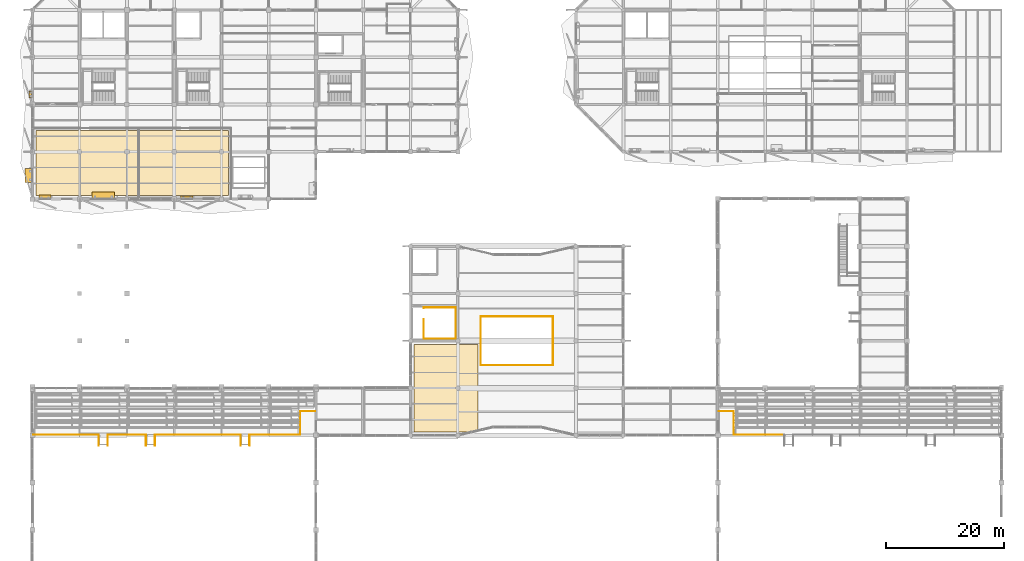
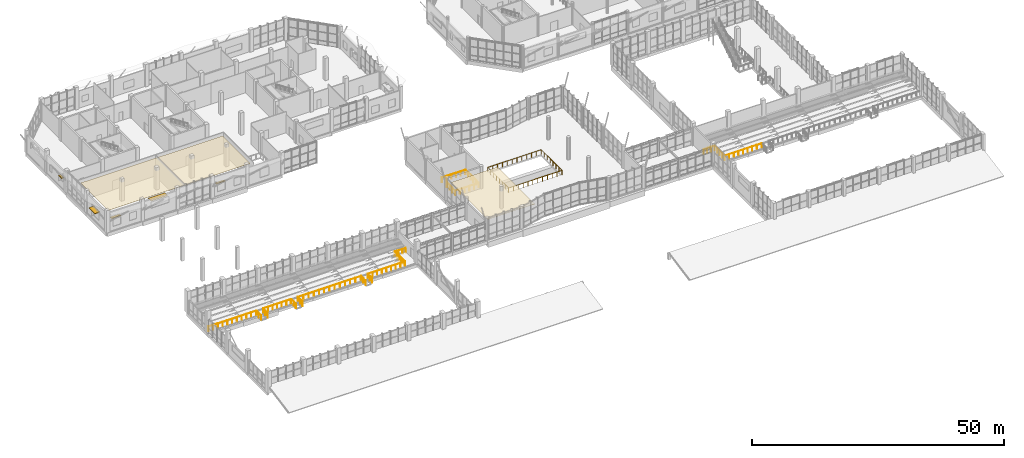
# One storey, part 115 of 122: 14 railings, 5 shading devices, 2 coverings.
"""IFC4 building model written with IfcOpenShell, lengths in metres."""

import ifcopenshell
import ifcopenshell.guid

model = None  # the IFC model being written
_history = None  # IfcOwnerHistory: only IFC2X3 demands one
_inside = {}  # id of a spatial element -> (the spatial element, [elements in it])
_under = {}  # id of a project, library or spatial element -> (it, [spatial elements below it])
_declared = {}  # id of a project -> (the project, [libraries it declares])
_typed = {}  # id of a type object -> (the type object, [elements of that type])
_made_of = {}  # id of a material, layer set ... -> (it, [elements and type objects made of it])


def new_model(schema):
    """Start an empty IFC model of exactly this schema.

    Asked for "IFC4X3", IfcOpenShell would pick the latest addendum, in which some entities
    have other attributes; the version numbers below select the first issue.
    IFC2X3 requires an IfcOwnerHistory on every rooted entity: one is made here for all.
    """
    global model, _history
    if schema == "IFC4X3":
        model = ifcopenshell.file(schema_version=(4, 3, 0, 0))
    else:
        model = ifcopenshell.file(schema=schema)
    _inside.clear()
    _under.clear()
    _declared.clear()
    _typed.clear()
    _made_of.clear()
    _history = None
    if model.schema == "IFC2X3":
        org = make("IfcOrganization", Name="unknown")
        user = make(
            "IfcPersonAndOrganization",
            ThePerson=make("IfcPerson", FamilyName="unknown"),
            TheOrganization=org,
        )
        app = make(
            "IfcApplication",
            ApplicationDeveloper=org,
            Version="unknown",
            ApplicationFullName="unknown",
            ApplicationIdentifier="unknown",
        )
        _history = make(
            "IfcOwnerHistory",
            OwningUser=user,
            OwningApplication=app,
            ChangeAction="ADDED",
            CreationDate=0,
        )
    return model


def make(cls, **values):
    """One entity of the class cls with the attributes given. An attribute that is None is left unset."""
    return model.create_entity(
        cls, **{name: value for name, value in values.items() if value is not None}
    )


def rooted(cls, **values):
    """An entity with a GlobalId (a new one), such as an element, a storey or a relation."""
    return make(cls, GlobalId=ifcopenshell.guid.new(), OwnerHistory=_history, **values)


def si_unit(unit_type, name, prefix=None):
    """IfcSIUnit, for example si_unit("LENGTHUNIT", "METRE", prefix="MILLI")."""
    return make("IfcSIUnit", UnitType=unit_type, Prefix=prefix, Name=name)


def assignment(units):
    """IfcUnitAssignment: the units of a project."""
    return None if units is None else make("IfcUnitAssignment", Units=units)


def point(xyz):
    """IfcCartesianPoint."""
    return None if xyz is None else make("IfcCartesianPoint", Coordinates=xyz)


def direction(xyz):
    """IfcDirection."""
    return None if xyz is None else make("IfcDirection", DirectionRatios=xyz)


def frame(location, z_axis=None, x_axis=None):
    """IfcAxis2Placement3D, a coordinate frame: its origin and axes. An axis left out is left unset."""
    return make(
        "IfcAxis2Placement3D",
        Location=point(location),
        Axis=direction(z_axis),
        RefDirection=direction(x_axis),
    )


def frame_2d(location, x_axis=None):
    """IfcAxis2Placement2D, a coordinate frame in the plane: its origin and x axis."""
    return make(
        "IfcAxis2Placement2D", Location=point(location), RefDirection=direction(x_axis)
    )


def origin():
    """The frame at (0, 0, 0) with its axes left unset."""
    return frame((0.0, 0.0, 0.0))


def origin_2d():
    """The frame at (0, 0) in the plane with its x axis left unset."""
    return frame_2d((0.0, 0.0))


def place(relative_to, where):
    """IfcLocalPlacement: puts the frame where relative to a parent placement (None: the world)."""
    return make(
        "IfcLocalPlacement", PlacementRelTo=relative_to, RelativePlacement=where
    )


def context(
    kind, dimensions, precision=None, world=None, true_north=None, identifier=None
):
    """IfcGeometricRepresentationContext, for example the 3D "Model" context."""
    return make(
        "IfcGeometricRepresentationContext",
        ContextIdentifier=identifier,
        ContextType=kind,
        CoordinateSpaceDimension=dimensions,
        Precision=precision,
        WorldCoordinateSystem=world,
        TrueNorth=true_north,
    )


def subcontext(parent, identifier, kind, view, scale=None):
    """IfcGeometricRepresentationSubContext, for example "Body" below "Model"."""
    return make(
        "IfcGeometricRepresentationSubContext",
        ContextIdentifier=identifier,
        ContextType=kind,
        ParentContext=parent,
        TargetScale=scale,
        TargetView=view,
    )


def project(units=None, contexts=None):
    """IfcProject with its units and contexts."""
    return rooted(
        "IfcProject",
        Name="project",
        RepresentationContexts=contexts,
        UnitsInContext=assignment(units),
    )


def spatial(cls, under=None, at=None, **own):
    """A site, building, storey or space (cls), placed at a placement, below another one or the project."""
    s = rooted(cls, ObjectPlacement=at, **own)
    if under is not None:
        _under.setdefault(under.id(), (under, []))[1].append(s)
    return s


def polyline(points):
    """IfcPolyline through the points."""
    return make("IfcPolyline", Points=[point(p) for p in points])


def profile(cls, at=None, kind="AREA", **sizes):
    """A parametric profile (cls). Its sizes go by their IFC names, for example OverallWidth=200.0."""
    return make(cls, ProfileType=kind, Position=at, **sizes)


def rectangle(**sizes):
    """IfcRectangleProfileDef."""
    return profile("IfcRectangleProfileDef", **sizes)


def circle(**sizes):
    """IfcCircleProfileDef."""
    return profile("IfcCircleProfileDef", **sizes)


def outline(outer, holes=None, kind="AREA"):
    """IfcArbitraryClosedProfileDef: a profile drawn as a closed curve; with holes, ...WithVoids."""
    if holes is None:
        return make("IfcArbitraryClosedProfileDef", ProfileType=kind, OuterCurve=outer)
    return make(
        "IfcArbitraryProfileDefWithVoids",
        ProfileType=kind,
        OuterCurve=outer,
        InnerCurves=holes,
    )


def extrude(swept, where, along, depth):
    """IfcExtrudedAreaSolid: the profile swept, set in the frame where, extruded along a direction by depth."""
    return make(
        "IfcExtrudedAreaSolid",
        SweptArea=swept,
        Position=where,
        ExtrudedDirection=direction(along),
        Depth=depth,
    )


def shape(context_of_items, identifier, shape_type, items):
    """IfcShapeRepresentation: the items that make up one representation, for example the "Body"."""
    return make(
        "IfcShapeRepresentation",
        ContextOfItems=context_of_items,
        RepresentationIdentifier=identifier,
        RepresentationType=shape_type,
        Items=items,
    )


def material(Name=None, Category=None):
    """IfcMaterial."""
    return make("IfcMaterial", Name=Name, Category=Category)


def layer(
    of_material, thickness, ventilated=None, Name=None, Category=None, Priority=None
):
    """IfcMaterialLayer: one layer of a wall or slab, of a material (None: an air gap)."""
    return make(
        "IfcMaterialLayer",
        Material=of_material,
        LayerThickness=thickness,
        IsVentilated=ventilated,
        Name=Name,
        Category=Category,
        Priority=Priority,
    )


def layer_set(layers, Name=None):
    """IfcMaterialLayerSet."""
    return make("IfcMaterialLayerSet", MaterialLayers=layers, LayerSetName=Name)


def made_of(thing, what):
    """Note that an element or type object is made of a material, layer set ...; save() writes the relation."""
    if what is not None:
        _made_of.setdefault(what.id(), (what, []))[1].append(thing)
    return thing


def type_object(cls, material=None, **own):
    """A type object (cls), such as IfcWallType, which elements share."""
    return made_of(rooted(cls, **own), material)


def element(
    cls,
    number,
    at=None,
    inside=None,
    cuts=None,
    type_object=None,
    material=None,
    context=None,
    identifier="Body",
    shape_type=None,
    held_by="IfcProductDefinitionShape",
    body=None,
    shapes=None,
    **own,
):
    """One element of the class cls, such as IfcWall. Its Tag is "e" and its number.

    at: its placement. inside: the storey or other place that contains it. cuts: it is an
    opening in that element (IfcRelVoidsElement). A single representation is given by context,
    identifier, shape_type and body (its items); several are given by shapes. held_by: the class
    of the entity that holds the representations. save() writes the other relations.
    """
    e = rooted(cls, Tag="e%d" % number, ObjectPlacement=at, **own)
    if body is not None:
        shapes = [shape(context, identifier, shape_type, body)]
    if shapes is not None:
        e.Representation = make(held_by, Representations=shapes)
    if inside is not None:
        _inside.setdefault(inside.id(), (inside, []))[1].append(e)
    if cuts is not None:
        rooted(
            "IfcRelVoidsElement", RelatingBuildingElement=cuts, RelatedOpeningElement=e
        )
    if type_object is not None:
        _typed.setdefault(type_object.id(), (type_object, []))[1].append(e)
    return made_of(e, material)


def aggregate(whole, parts):
    """IfcRelAggregates: a whole, such as a stair, and the parts it consists of."""
    return rooted("IfcRelAggregates", RelatingObject=whole, RelatedObjects=parts)


def save(model, path):
    """Write the relations noted so far, then the file.

    IfcRelAggregates (storeys below a building ...), IfcRelContainedInSpatialStructure (elements
    in a storey), IfcRelDefinesByType, IfcRelAssociatesMaterial and IfcRelDeclares: one each for
    every whole, place, type object, material and project.
    """
    for whole, parts in _under.values():
        aggregate(whole, parts)
    for where, things in _inside.values():
        rooted(
            "IfcRelContainedInSpatialStructure",
            RelatedElements=things,
            RelatingStructure=where,
        )
    for kind, things in _typed.values():
        rooted("IfcRelDefinesByType", RelatedObjects=things, RelatingType=kind)
    for what, things in _made_of.values():
        rooted("IfcRelAssociatesMaterial", RelatedObjects=things, RelatingMaterial=what)
    for by, libraries in _declared.values():
        rooted("IfcRelDeclares", RelatingContext=by, RelatedDefinitions=libraries)
    model.write(path)


model = new_model("IFC4")

# Units and contexts
model_context = context("Model", 3, precision=1e-05, world=origin(), true_north=direction((0.0, 1.0)))
body_context = subcontext(model_context, "Body", "Model", "MODEL_VIEW")
ifc_project = project(units=[si_unit("LENGTHUNIT", "METRE"), si_unit("AREAUNIT", "SQUARE_METRE"), si_unit("VOLUMEUNIT", "CUBIC_METRE"), si_unit("PLANEANGLEUNIT", "RADIAN"), si_unit("MASSUNIT", "GRAM", prefix="KILO")], contexts=[model_context])

# Site, building, storey
site_placement = place(None, origin())
site = spatial("IfcSite", under=ifc_project, at=site_placement, CompositionType="ELEMENT")
building_placement = place(site_placement, origin())
building = spatial("IfcBuilding", under=site, at=building_placement, Name="Tenunan Teduh Sports Hall", CompositionType="ELEMENT")
storey_placement = place(building_placement, frame((0.0, 0.0, 5.39990234375)))
storey = spatial("IfcBuildingStorey", under=building, at=storey_placement, Name="L01", CompositionType="ELEMENT", Elevation=5.39990234375)

# Coverings
ifc_material_1 = material(Name="Perforated mineral-fibre acoustic ceiling")
ifc_layer_1 = layer(ifc_material_1, 0.0400390625)
ifc_layer_set_1 = layer_set([ifc_layer_1], Name="Perforated mineral-fibre acoustic ceiling")
covering_type = type_object("IfcCoveringType", Name="COV-CLG-AC", PredefinedType="CEILING", material=ifc_layer_set_1)
covering_1_placement = place(storey_placement, frame((0.0, 0.0, 4.2001953125)))
element("IfcCovering", 1, at=covering_1_placement, inside=storey, type_object=covering_type, Name="COV-CLG-L01F", PredefinedType="CEILING", context=body_context, shape_type="SweptSolid", body=[
    extrude(outline(polyline([(70.60009765625, 38.60009765625), (81.39990234375, 38.60009765625), (81.39990234375, 53.39990234375), (70.60009765625, 53.39990234375), (70.60009765625, 38.60009765625)])), origin(), (0.0, 0.0, 1.0), 0.039794921875),
])
covering_2_placement = place(storey_placement, frame((0.0, 0.0, 4.550048828125)))
element("IfcCovering", 2, at=covering_2_placement, inside=storey, type_object=covering_type, Name="COV-CLG-L01W", PredefinedType="CEILING", context=body_context, shape_type="SweptSolid", body=[
    extrude(outline(polyline([(6.60009765625, 78.60009765625), (39.199951171875, 78.60009765625), (39.199951171875, 89.60009765625), (6.60009765625, 89.60009765625), (6.60009765625, 78.60009765625)])), origin(), (0.0, 0.0, 1.0), 0.0400390625),
])

# Railings
ifc_material_2 = material(Name="Laminated safety glass and stainless steel", Category="steel")
ifc_layer_2 = layer(ifc_material_2, 0.080078125)
ifc_layer_set_2 = layer_set([ifc_layer_2], Name="Laminated safety glass and stainless steel")
railing_type_1 = type_object("IfcRailingType", Name="RLG-BAL-GLZ", PredefinedType="BALUSTRADE", material=ifc_layer_set_2)
railing_1_placement = place(storey_placement, frame((81.8798828125, 49.9599609375, 0.0)))
element("IfcRailing", 3, at=railing_1_placement, inside=storey, type_object=railing_type_1, Name="RLG-L01-V4-VOID", PredefinedType="BALUSTRADE", context=body_context, shape_type="SweptSolid", body=[
    extrude(circle(Radius=0.02392578125, at=origin_2d()), frame((0.0, 0.0, 1.09619140625), z_axis=(0.0, -1.0, 0.0), x_axis=(1.0, 0.0, 0.0)), (0.0, 0.0, 1.0), 0.080078125),
    extrude(circle(Radius=0.02392578125, at=origin_2d()), frame((0.0, -0.080078125, 1.09619140625), z_axis=(1.0, 0.0, 0.0), x_axis=(0.0, 1.0, 0.0)), (0.0, 0.0, 1.0), 12.240234375),
    extrude(circle(Radius=0.02392578125, at=origin_2d()), frame((12.240234375, -0.080078125, 1.09619140625), z_axis=(0.0, 1.0, 0.0), x_axis=(-1.0, 0.0, 0.0)), (0.0, 0.0, 1.0), 8.240234375),
    extrude(circle(Radius=0.02392578125, at=origin_2d()), frame((12.240234375, 8.16015625, 1.09619140625), z_axis=(-1.0, 0.0, 0.0), x_axis=(0.0, -1.0, 0.0)), (0.0, 0.0, 1.0), 12.240234375),
    extrude(circle(Radius=0.02392578125, at=origin_2d()), frame((0.0, 8.16015625, 1.09619140625), z_axis=(0.0, -1.0, 0.0), x_axis=(1.0, 0.0, 0.0)), (0.0, 0.0, 1.0), 8.06005859375),
    extrude(circle(Radius=0.02099609375, at=origin_2d()), origin(), (0.0, 0.0, 1.0), 1.072021484375),
    extrude(circle(Radius=0.02099609375, at=origin_2d()), frame((0.0, -0.080078125, 0.0)), (0.0, 0.0, 1.0), 1.072021484375),
    extrude(circle(Radius=0.02099609375, at=origin_2d()), frame((1.11279296875, -0.080078125, 0.0)), (0.0, 0.0, 1.0), 1.072021484375),
    extrude(circle(Radius=0.02099609375, at=origin_2d()), frame((2.2255859375, -0.080078125, 0.0)), (0.0, 0.0, 1.0), 1.072021484375),
    extrude(circle(Radius=0.02099609375, at=origin_2d()), frame((3.338134765625, -0.080078125, 0.0)), (0.0, 0.0, 1.0), 1.072021484375),
    extrude(circle(Radius=0.02099609375, at=origin_2d()), frame((4.450927734375, -0.080078125, 0.0)), (0.0, 0.0, 1.0), 1.072021484375),
    extrude(circle(Radius=0.02099609375, at=origin_2d()), frame((5.563720703125, -0.080078125, 0.0)), (0.0, 0.0, 1.0), 1.072021484375),
    extrude(circle(Radius=0.02099609375, at=origin_2d()), frame((6.676513671875, -0.080078125, 0.0)), (0.0, 0.0, 1.0), 1.072021484375),
    extrude(circle(Radius=0.02099609375, at=origin_2d()), frame((7.789306640625, -0.080078125, 0.0)), (0.0, 0.0, 1.0), 1.072021484375),
    extrude(circle(Radius=0.02099609375, at=origin_2d()), frame((8.902099609375, -0.080078125, 0.0)), (0.0, 0.0, 1.0), 1.072021484375),
    extrude(circle(Radius=0.02099609375, at=origin_2d()), frame((10.0146484375, -0.080078125, 0.0)), (0.0, 0.0, 1.0), 1.072021484375),
    extrude(circle(Radius=0.02099609375, at=origin_2d()), frame((11.12744140625, -0.080078125, 0.0)), (0.0, 0.0, 1.0), 1.072021484375),
    extrude(circle(Radius=0.02099609375, at=origin_2d()), frame((12.240234375, -0.080078125, 0.0)), (0.0, 0.0, 1.0), 1.072021484375),
    extrude(circle(Radius=0.02099609375, at=origin_2d()), frame((12.240234375, 1.09716796875, 0.0)), (0.0, 0.0, 1.0), 1.072021484375),
    extrude(circle(Radius=0.02099609375, at=origin_2d()), frame((12.240234375, 2.274169921875, 0.0)), (0.0, 0.0, 1.0), 1.072021484375),
    extrude(circle(Radius=0.02099609375, at=origin_2d()), frame((12.240234375, 3.451416015625, 0.0)), (0.0, 0.0, 1.0), 1.072021484375),
    extrude(circle(Radius=0.02099609375, at=origin_2d()), frame((12.240234375, 4.628662109375, 0.0)), (0.0, 0.0, 1.0), 1.072021484375),
    extrude(circle(Radius=0.02099609375, at=origin_2d()), frame((12.240234375, 5.805908203125, 0.0)), (0.0, 0.0, 1.0), 1.072021484375),
    extrude(circle(Radius=0.02099609375, at=origin_2d()), frame((12.240234375, 6.98291015625, 0.0)), (0.0, 0.0, 1.0), 1.072021484375),
    extrude(circle(Radius=0.02099609375, at=origin_2d()), frame((12.240234375, 8.16015625, 0.0)), (0.0, 0.0, 1.0), 1.072021484375),
    extrude(circle(Radius=0.02099609375, at=origin_2d()), frame((11.12744140625, 8.16015625, 0.0)), (0.0, 0.0, 1.0), 1.072021484375),
    extrude(circle(Radius=0.02099609375, at=origin_2d()), frame((10.0146484375, 8.16015625, 0.0)), (0.0, 0.0, 1.0), 1.072021484375),
    extrude(circle(Radius=0.02099609375, at=origin_2d()), frame((8.902099609375, 8.16015625, 0.0)), (0.0, 0.0, 1.0), 1.072021484375),
    extrude(circle(Radius=0.02099609375, at=origin_2d()), frame((7.789306640625, 8.16015625, 0.0)), (0.0, 0.0, 1.0), 1.072021484375),
    extrude(circle(Radius=0.02099609375, at=origin_2d()), frame((6.676513671875, 8.16015625, 0.0)), (0.0, 0.0, 1.0), 1.072021484375),
    extrude(circle(Radius=0.02099609375, at=origin_2d()), frame((5.563720703125, 8.16015625, 0.0)), (0.0, 0.0, 1.0), 1.072021484375),
    extrude(circle(Radius=0.02099609375, at=origin_2d()), frame((4.450927734375, 8.16015625, 0.0)), (0.0, 0.0, 1.0), 1.072021484375),
    extrude(circle(Radius=0.02099609375, at=origin_2d()), frame((3.338134765625, 8.16015625, 0.0)), (0.0, 0.0, 1.0), 1.072021484375),
    extrude(circle(Radius=0.02099609375, at=origin_2d()), frame((2.2255859375, 8.16015625, 0.0)), (0.0, 0.0, 1.0), 1.072021484375),
    extrude(circle(Radius=0.02099609375, at=origin_2d()), frame((1.11279296875, 8.16015625, 0.0)), (0.0, 0.0, 1.0), 1.072021484375),
    extrude(circle(Radius=0.02099609375, at=origin_2d()), frame((0.0, 8.16015625, 0.0)), (0.0, 0.0, 1.0), 1.072021484375),
    extrude(circle(Radius=0.02099609375, at=origin_2d()), frame((0.0, 7.0087890625, 0.0)), (0.0, 0.0, 1.0), 1.072021484375),
    extrude(circle(Radius=0.02099609375, at=origin_2d()), frame((0.0, 5.857177734375, 0.0)), (0.0, 0.0, 1.0), 1.072021484375),
    extrude(circle(Radius=0.02099609375, at=origin_2d()), frame((0.0, 4.705810546875, 0.0)), (0.0, 0.0, 1.0), 1.072021484375),
    extrude(circle(Radius=0.02099609375, at=origin_2d()), frame((0.0, 3.554443359375, 0.0)), (0.0, 0.0, 1.0), 1.072021484375),
    extrude(circle(Radius=0.02099609375, at=origin_2d()), frame((0.0, 2.403076171875, 0.0)), (0.0, 0.0, 1.0), 1.072021484375),
    extrude(circle(Radius=0.02099609375, at=origin_2d()), frame((0.0, 1.25146484375, 0.0)), (0.0, 0.0, 1.0), 1.072021484375),
    extrude(circle(Radius=0.02099609375, at=origin_2d()), frame((0.0, 0.10009765625, 0.0)), (0.0, 0.0, 1.0), 1.072021484375),
])
railing_2_placement = place(storey_placement, frame((122.14990234375, 42.080078125, 0.0)))
element("IfcRailing", 4, at=railing_2_placement, inside=storey, type_object=railing_type_1, Name="RLG-L01-V1-GAL-1", PredefinedType="BALUSTRADE", context=body_context, shape_type="SweptSolid", body=[
    extrude(circle(Radius=0.02392578125, at=origin_2d()), frame((0.0, 0.0, 1.09619140625), z_axis=(1.0, 0.0, 0.0), x_axis=(0.0, 1.0, 0.0)), (0.0, 0.0, 1.0), 2.530029296875),
    extrude(circle(Radius=0.02392578125, at=origin_2d()), frame((2.530029296875, 0.0, 1.09619140625), z_axis=(0.0, -1.0, 0.0), x_axis=(1.0, 0.0, 0.0)), (0.0, 0.0, 1.0), 3.9599609375),
    extrude(circle(Radius=0.02392578125, at=origin_2d()), frame((2.530029296875, -3.9599609375, 1.09619140625), z_axis=(1.0, 0.0, 0.0), x_axis=(0.0, 1.0, 0.0)), (0.0, 0.0, 1.0), 8.469970703125),
    extrude(circle(Radius=0.02099609375, at=origin_2d()), origin(), (0.0, 0.0, 1.0), 1.072021484375),
    extrude(circle(Radius=0.02099609375, at=origin_2d()), frame((0.84326171875, 0.0, 0.0)), (0.0, 0.0, 1.0), 1.072021484375),
    extrude(circle(Radius=0.02099609375, at=origin_2d()), frame((1.686767578125, 0.0, 0.0)), (0.0, 0.0, 1.0), 1.072021484375),
    extrude(circle(Radius=0.02099609375, at=origin_2d()), frame((2.530029296875, 0.0, 0.0)), (0.0, 0.0, 1.0), 1.072021484375),
    extrude(circle(Radius=0.02099609375, at=origin_2d()), frame((2.530029296875, -0.989990234375, 0.0)), (0.0, 0.0, 1.0), 1.072021484375),
    extrude(circle(Radius=0.02099609375, at=origin_2d()), frame((2.530029296875, -1.97998046875, 0.0)), (0.0, 0.0, 1.0), 1.072021484375),
    extrude(circle(Radius=0.02099609375, at=origin_2d()), frame((2.530029296875, -2.969970703125, 0.0)), (0.0, 0.0, 1.0), 1.072021484375),
    extrude(circle(Radius=0.02099609375, at=origin_2d()), frame((2.530029296875, -3.9599609375, 0.0)), (0.0, 0.0, 1.0), 1.072021484375),
    extrude(circle(Radius=0.02099609375, at=origin_2d()), frame((3.5888671875, -3.9599609375, 0.0)), (0.0, 0.0, 1.0), 1.072021484375),
    extrude(circle(Radius=0.02099609375, at=origin_2d()), frame((4.6474609375, -3.9599609375, 0.0)), (0.0, 0.0, 1.0), 1.072021484375),
    extrude(circle(Radius=0.02099609375, at=origin_2d()), frame((5.706298828125, -3.9599609375, 0.0)), (0.0, 0.0, 1.0), 1.072021484375),
    extrude(circle(Radius=0.02099609375, at=origin_2d()), frame((6.76513671875, -3.9599609375, 0.0)), (0.0, 0.0, 1.0), 1.072021484375),
    extrude(circle(Radius=0.02099609375, at=origin_2d()), frame((7.82373046875, -3.9599609375, 0.0)), (0.0, 0.0, 1.0), 1.072021484375),
    extrude(circle(Radius=0.02099609375, at=origin_2d()), frame((8.882568359375, -3.9599609375, 0.0)), (0.0, 0.0, 1.0), 1.072021484375),
    extrude(circle(Radius=0.02099609375, at=origin_2d()), frame((9.941162109375, -3.9599609375, 0.0)), (0.0, 0.0, 1.0), 1.072021484375),
    extrude(circle(Radius=0.02099609375, at=origin_2d()), frame((11.0, -3.9599609375, 0.0)), (0.0, 0.0, 1.0), 1.072021484375),
])
railing_3_placement = place(storey_placement, frame((6.199951171875, 38.1201171875, 0.0)))
element("IfcRailing", 5, at=railing_3_placement, inside=storey, type_object=railing_type_1, Name="RLG-L01-V2-GAL-1", PredefinedType="BALUSTRADE", context=body_context, shape_type="SweptSolid", body=[
    extrude(circle(Radius=0.02392578125, at=origin_2d()), frame((0.0, 0.0, 1.09619140625), z_axis=(1.0, 0.0, 0.0), x_axis=(0.0, 1.0, 0.0)), (0.0, 0.0, 1.0), 10.949951171875),
    extrude(circle(Radius=0.02099609375, at=origin_2d()), origin(), (0.0, 0.0, 1.0), 1.072021484375),
    extrude(circle(Radius=0.02099609375, at=origin_2d()), frame((1.094970703125, 0.0, 0.0)), (0.0, 0.0, 1.0), 1.072021484375),
    extrude(circle(Radius=0.02099609375, at=origin_2d()), frame((2.18994140625, 0.0, 0.0)), (0.0, 0.0, 1.0), 1.072021484375),
    extrude(circle(Radius=0.02099609375, at=origin_2d()), frame((3.284912109375, 0.0, 0.0)), (0.0, 0.0, 1.0), 1.072021484375),
    extrude(circle(Radius=0.02099609375, at=origin_2d()), frame((4.3798828125, 0.0, 0.0)), (0.0, 0.0, 1.0), 1.072021484375),
    extrude(circle(Radius=0.02099609375, at=origin_2d()), frame((5.47509765625, 0.0, 0.0)), (0.0, 0.0, 1.0), 1.072021484375),
    extrude(circle(Radius=0.02099609375, at=origin_2d()), frame((6.570068359375, 0.0, 0.0)), (0.0, 0.0, 1.0), 1.072021484375),
    extrude(circle(Radius=0.02099609375, at=origin_2d()), frame((7.6650390625, 0.0, 0.0)), (0.0, 0.0, 1.0), 1.072021484375),
    extrude(circle(Radius=0.02099609375, at=origin_2d()), frame((8.760009765625, 0.0, 0.0)), (0.0, 0.0, 1.0), 1.072021484375),
    extrude(circle(Radius=0.02099609375, at=origin_2d()), frame((9.85498046875, 0.0, 0.0)), (0.0, 0.0, 1.0), 1.072021484375),
    extrude(circle(Radius=0.02099609375, at=origin_2d()), frame((10.949951171875, 0.0, 0.0)), (0.0, 0.0, 1.0), 1.072021484375),
])
railing_4_placement = place(storey_placement, frame((18.85009765625, 38.1201171875, 0.0)))
element("IfcRailing", 6, at=railing_4_placement, inside=storey, type_object=railing_type_1, Name="RLG-L01-V2-GAL-2", PredefinedType="BALUSTRADE", context=body_context, shape_type="SweptSolid", body=[
    extrude(circle(Radius=0.02392578125, at=origin_2d()), frame((0.0, 0.0, 1.09619140625), z_axis=(1.0, 0.0, 0.0), x_axis=(0.0, 1.0, 0.0)), (0.0, 0.0, 1.0), 6.2998046875),
    extrude(circle(Radius=0.02099609375, at=origin_2d()), origin(), (0.0, 0.0, 1.0), 1.072021484375),
    extrude(circle(Radius=0.02099609375, at=origin_2d()), frame((1.050048828125, 0.0, 0.0)), (0.0, 0.0, 1.0), 1.072021484375),
    extrude(circle(Radius=0.02099609375, at=origin_2d()), frame((2.099853515625, 0.0, 0.0)), (0.0, 0.0, 1.0), 1.072021484375),
    extrude(circle(Radius=0.02099609375, at=origin_2d()), frame((3.14990234375, 0.0, 0.0)), (0.0, 0.0, 1.0), 1.072021484375),
    extrude(circle(Radius=0.02099609375, at=origin_2d()), frame((4.199951171875, 0.0, 0.0)), (0.0, 0.0, 1.0), 1.072021484375),
    extrude(circle(Radius=0.02099609375, at=origin_2d()), frame((5.249755859375, 0.0, 0.0)), (0.0, 0.0, 1.0), 1.072021484375),
    extrude(circle(Radius=0.02099609375, at=origin_2d()), frame((6.2998046875, 0.0, 0.0)), (0.0, 0.0, 1.0), 1.072021484375),
])
railing_5_placement = place(storey_placement, frame((26.85009765625, 38.1201171875, 0.0)))
element("IfcRailing", 7, at=railing_5_placement, inside=storey, type_object=railing_type_1, Name="RLG-L01-V2-GAL-3", PredefinedType="BALUSTRADE", context=body_context, shape_type="SweptSolid", body=[
    extrude(circle(Radius=0.02392578125, at=origin_2d()), frame((0.0, 0.0, 1.09619140625), z_axis=(1.0, 0.0, 0.0), x_axis=(0.0, 1.0, 0.0)), (0.0, 0.0, 1.0), 14.2998046875),
    extrude(circle(Radius=0.02099609375, at=origin_2d()), origin(), (0.0, 0.0, 1.0), 1.072021484375),
    extrude(circle(Radius=0.02099609375, at=origin_2d()), frame((1.191650390625, 0.0, 0.0)), (0.0, 0.0, 1.0), 1.072021484375),
    extrude(circle(Radius=0.02099609375, at=origin_2d()), frame((2.38330078125, 0.0, 0.0)), (0.0, 0.0, 1.0), 1.072021484375),
    extrude(circle(Radius=0.02099609375, at=origin_2d()), frame((3.574951171875, 0.0, 0.0)), (0.0, 0.0, 1.0), 1.072021484375),
    extrude(circle(Radius=0.02099609375, at=origin_2d()), frame((4.7666015625, 0.0, 0.0)), (0.0, 0.0, 1.0), 1.072021484375),
    extrude(circle(Radius=0.02099609375, at=origin_2d()), frame((5.958251953125, 0.0, 0.0)), (0.0, 0.0, 1.0), 1.072021484375),
    extrude(circle(Radius=0.02099609375, at=origin_2d()), frame((7.14990234375, 0.0, 0.0)), (0.0, 0.0, 1.0), 1.072021484375),
    extrude(circle(Radius=0.02099609375, at=origin_2d()), frame((8.341552734375, 0.0, 0.0)), (0.0, 0.0, 1.0), 1.072021484375),
    extrude(circle(Radius=0.02099609375, at=origin_2d()), frame((9.533203125, 0.0, 0.0)), (0.0, 0.0, 1.0), 1.072021484375),
    extrude(circle(Radius=0.02099609375, at=origin_2d()), frame((10.724853515625, 0.0, 0.0)), (0.0, 0.0, 1.0), 1.072021484375),
    extrude(circle(Radius=0.02099609375, at=origin_2d()), frame((11.91650390625, 0.0, 0.0)), (0.0, 0.0, 1.0), 1.072021484375),
    extrude(circle(Radius=0.02099609375, at=origin_2d()), frame((13.108154296875, 0.0, 0.0)), (0.0, 0.0, 1.0), 1.072021484375),
    extrude(circle(Radius=0.02099609375, at=origin_2d()), frame((14.2998046875, 0.0, 0.0)), (0.0, 0.0, 1.0), 1.072021484375),
])
railing_6_placement = place(storey_placement, frame((42.85009765625, 38.1201171875, 0.0)))
element("IfcRailing", 8, at=railing_6_placement, inside=storey, type_object=railing_type_1, Name="RLG-L01-V2-GAL-4", PredefinedType="BALUSTRADE", context=body_context, shape_type="SweptSolid", body=[
    extrude(circle(Radius=0.02392578125, at=origin_2d()), frame((0.0, 0.0, 1.09619140625), z_axis=(1.0, 0.0, 0.0), x_axis=(0.0, 1.0, 0.0)), (0.0, 0.0, 1.0), 8.469970703125),
    extrude(circle(Radius=0.02392578125, at=origin_2d()), frame((8.469970703125, 0.0, 1.09619140625), z_axis=(0.0, 1.0, 0.0), x_axis=(-1.0, 0.0, 0.0)), (0.0, 0.0, 1.0), 3.9599609375),
    extrude(circle(Radius=0.02392578125, at=origin_2d()), frame((8.469970703125, 3.9599609375, 1.09619140625), z_axis=(1.0, 0.0, 0.0), x_axis=(0.0, 1.0, 0.0)), (0.0, 0.0, 1.0), 2.530029296875),
    extrude(circle(Radius=0.02099609375, at=origin_2d()), origin(), (0.0, 0.0, 1.0), 1.072021484375),
    extrude(circle(Radius=0.02099609375, at=origin_2d()), frame((1.058837890625, 0.0, 0.0)), (0.0, 0.0, 1.0), 1.072021484375),
    extrude(circle(Radius=0.02099609375, at=origin_2d()), frame((2.117431640625, 0.0, 0.0)), (0.0, 0.0, 1.0), 1.072021484375),
    extrude(circle(Radius=0.02099609375, at=origin_2d()), frame((3.17626953125, 0.0, 0.0)), (0.0, 0.0, 1.0), 1.072021484375),
    extrude(circle(Radius=0.02099609375, at=origin_2d()), frame((4.23486328125, 0.0, 0.0)), (0.0, 0.0, 1.0), 1.072021484375),
    extrude(circle(Radius=0.02099609375, at=origin_2d()), frame((5.293701171875, 0.0, 0.0)), (0.0, 0.0, 1.0), 1.072021484375),
    extrude(circle(Radius=0.02099609375, at=origin_2d()), frame((6.3525390625, 0.0, 0.0)), (0.0, 0.0, 1.0), 1.072021484375),
    extrude(circle(Radius=0.02099609375, at=origin_2d()), frame((7.4111328125, 0.0, 0.0)), (0.0, 0.0, 1.0), 1.072021484375),
    extrude(circle(Radius=0.02099609375, at=origin_2d()), frame((8.469970703125, 0.0, 0.0)), (0.0, 0.0, 1.0), 1.072021484375),
    extrude(circle(Radius=0.02099609375, at=origin_2d()), frame((8.469970703125, 0.989990234375, 0.0)), (0.0, 0.0, 1.0), 1.072021484375),
    extrude(circle(Radius=0.02099609375, at=origin_2d()), frame((8.469970703125, 1.97998046875, 0.0)), (0.0, 0.0, 1.0), 1.072021484375),
    extrude(circle(Radius=0.02099609375, at=origin_2d()), frame((8.469970703125, 2.969970703125, 0.0)), (0.0, 0.0, 1.0), 1.072021484375),
    extrude(circle(Radius=0.02099609375, at=origin_2d()), frame((8.469970703125, 3.9599609375, 0.0)), (0.0, 0.0, 1.0), 1.072021484375),
    extrude(circle(Radius=0.02099609375, at=origin_2d()), frame((9.313232421875, 3.9599609375, 0.0)), (0.0, 0.0, 1.0), 1.072021484375),
    extrude(circle(Radius=0.02099609375, at=origin_2d()), frame((10.15673828125, 3.9599609375, 0.0)), (0.0, 0.0, 1.0), 1.072021484375),
    extrude(circle(Radius=0.02099609375, at=origin_2d()), frame((11.0, 3.9599609375, 0.0)), (0.0, 0.0, 1.0), 1.072021484375),
])
ifc_material_3 = material(Name="Galvanised and powder-coated steel", Category="steel")
ifc_layer_3 = layer(ifc_material_3, 0.070068359375)
ifc_layer_set_3 = layer_set([ifc_layer_3], Name="Galvanised and powder-coated steel")
railing_type_2 = type_object("IfcRailingType", Name="RLG-EXT-GRD", PredefinedType="GUARDRAIL", material=ifc_layer_set_3)
railing_7_placement = place(storey_placement, frame((72.239990234375, 54.360107421875, 0.0)))
element("IfcRailing", 9, at=railing_7_placement, inside=storey, type_object=railing_type_2, Name="RLG-STW-WLND-C1-L00", PredefinedType="GUARDRAIL", context=body_context, shape_type="SweptSolid", body=[
    extrude(circle(Radius=0.02392578125, at=origin_2d()), frame((0.0, 0.0, 1.09619140625), z_axis=(0.0, 1.0, 0.0), x_axis=(-1.0, 0.0, 0.0)), (0.0, 0.0, 1.0), 3.289794921875),
    extrude(circle(Radius=0.02099609375, at=origin_2d()), origin(), (0.0, 0.0, 1.0), 1.072021484375),
    extrude(circle(Radius=0.02099609375, at=origin_2d()), frame((0.0, 1.0966796875, 0.0)), (0.0, 0.0, 1.0), 1.072021484375),
    extrude(circle(Radius=0.02099609375, at=origin_2d()), frame((0.0, 2.193115234375, 0.0)), (0.0, 0.0, 1.0), 1.072021484375),
    extrude(circle(Radius=0.02099609375, at=origin_2d()), frame((0.0, 3.289794921875, 0.0)), (0.0, 0.0, 1.0), 1.072021484375),
])
railing_8_placement = place(storey_placement, frame((72.239990234375, 54.360107421875, 0.0)))
element("IfcRailing", 10, at=railing_8_placement, inside=storey, type_object=railing_type_2, Name="RLG-STW-TOP-C1-L01", PredefinedType="GUARDRAIL", context=body_context, shape_type="SweptSolid", body=[
    extrude(circle(Radius=0.02392578125, at=origin_2d()), frame((0.0, 0.0, 1.09619140625), z_axis=(1.0, 0.0, 0.0), x_axis=(0.0, 1.0, 0.0)), (0.0, 0.0, 1.0), 5.39990234375),
    extrude(circle(Radius=0.02392578125, at=origin_2d()), frame((5.39990234375, 0.0, 1.09619140625), z_axis=(0.0, 1.0, 0.0), x_axis=(-1.0, 0.0, 0.0)), (0.0, 0.0, 1.0), 5.27978515625),
    extrude(circle(Radius=0.02392578125, at=origin_2d()), frame((5.39990234375, 5.27978515625, 1.09619140625), z_axis=(-1.0, 0.0, 0.0), x_axis=(0.0, -1.0, 0.0)), (0.0, 0.0, 1.0), 5.39990234375),
    extrude(circle(Radius=0.02392578125, at=origin_2d()), frame((0.0, 5.27978515625, 1.09619140625), z_axis=(0.0, -1.0, 0.0), x_axis=(1.0, 0.0, 0.0)), (0.0, 0.0, 1.0), 0.10986328125),
    extrude(circle(Radius=0.02099609375, at=origin_2d()), origin(), (0.0, 0.0, 1.0), 1.072021484375),
    extrude(circle(Radius=0.02099609375, at=origin_2d()), frame((1.080078125, 0.0, 0.0)), (0.0, 0.0, 1.0), 1.072021484375),
    extrude(circle(Radius=0.02099609375, at=origin_2d()), frame((2.159912109375, 0.0, 0.0)), (0.0, 0.0, 1.0), 1.072021484375),
    extrude(circle(Radius=0.02099609375, at=origin_2d()), frame((3.239990234375, 0.0, 0.0)), (0.0, 0.0, 1.0), 1.072021484375),
    extrude(circle(Radius=0.02099609375, at=origin_2d()), frame((4.31982421875, 0.0, 0.0)), (0.0, 0.0, 1.0), 1.072021484375),
    extrude(circle(Radius=0.02099609375, at=origin_2d()), frame((5.39990234375, 0.0, 0.0)), (0.0, 0.0, 1.0), 1.072021484375),
    extrude(circle(Radius=0.02099609375, at=origin_2d()), frame((5.39990234375, 1.055908203125, 0.0)), (0.0, 0.0, 1.0), 1.072021484375),
    extrude(circle(Radius=0.02099609375, at=origin_2d()), frame((5.39990234375, 2.11181640625, 0.0)), (0.0, 0.0, 1.0), 1.072021484375),
    extrude(circle(Radius=0.02099609375, at=origin_2d()), frame((5.39990234375, 3.16796875, 0.0)), (0.0, 0.0, 1.0), 1.072021484375),
    extrude(circle(Radius=0.02099609375, at=origin_2d()), frame((5.39990234375, 4.223876953125, 0.0)), (0.0, 0.0, 1.0), 1.072021484375),
    extrude(circle(Radius=0.02099609375, at=origin_2d()), frame((5.39990234375, 5.27978515625, 0.0)), (0.0, 0.0, 1.0), 1.072021484375),
    extrude(circle(Radius=0.02099609375, at=origin_2d()), frame((4.31982421875, 5.27978515625, 0.0)), (0.0, 0.0, 1.0), 1.072021484375),
    extrude(circle(Radius=0.02099609375, at=origin_2d()), frame((3.239990234375, 5.27978515625, 0.0)), (0.0, 0.0, 1.0), 1.072021484375),
    extrude(circle(Radius=0.02099609375, at=origin_2d()), frame((2.159912109375, 5.27978515625, 0.0)), (0.0, 0.0, 1.0), 1.072021484375),
    extrude(circle(Radius=0.02099609375, at=origin_2d()), frame((1.080078125, 5.27978515625, 0.0)), (0.0, 0.0, 1.0), 1.072021484375),
    extrude(circle(Radius=0.02099609375, at=origin_2d()), frame((0.0, 5.27978515625, 0.0)), (0.0, 0.0, 1.0), 1.072021484375),
    extrude(circle(Radius=0.02099609375, at=origin_2d()), frame((0.0, 5.169921875, 0.0)), (0.0, 0.0, 1.0), 1.072021484375),
])
for number, where, name in (
    (11, (17.239990234375, 36.300048828125, 0.0), "RLG-STR-VOM-V2A-GL"),
    (12, (18.760009765625, 36.300048828125, 0.0), "RLG-STR-VOM-V2A-GR"),
    (13, (25.239990234375, 36.300048828125, 0.0), "RLG-STR-VOM-V2M-GL"),
    (14, (26.760009765625, 36.300048828125, 0.0), "RLG-STR-VOM-V2M-GR"),
    (15, (41.239990234375, 36.300048828125, 0.0), "RLG-STR-VOM-V2B-GL"),
    (16, (42.760009765625, 36.300048828125, 0.0), "RLG-STR-VOM-V2B-GR"),
):
    element("IfcRailing", number, at=place(storey_placement, frame(where)), inside=storey, type_object=railing_type_2, Name=name, PredefinedType="GUARDRAIL", context=body_context, shape_type="SweptSolid", body=[
        extrude(circle(Radius=0.02392578125, at=origin_2d()), frame((0.0, 0.0, 1.09619140625), z_axis=(0.0, 1.0, 0.0), x_axis=(-1.0, 0.0, 0.0)), (0.0, 0.0, 1.0), 1.820068359375),
        extrude(circle(Radius=0.02099609375, at=origin_2d()), origin(), (0.0, 0.0, 1.0), 1.072021484375),
        extrude(circle(Radius=0.02099609375, at=origin_2d()), frame((0.0, 0.91015625, 0.0)), (0.0, 0.0, 1.0), 1.072021484375),
        extrude(circle(Radius=0.02099609375, at=origin_2d()), frame((0.0, 1.820068359375, 0.0)), (0.0, 0.0, 1.0), 1.072021484375),
    ])

# Shading devices
ifc_material_4 = material(Name="Perforated anodised aluminium", Category="aluminium")
shading_device_type_1 = type_object("IfcShadingDeviceType", Name="SHD-LOUVRE-1", PredefinedType="AWNING", material=ifc_material_4)
shading_device_1_placement = place(storey_placement, frame((32.14990234375, 78.324951171875, 2.719970703125), z_axis=(0.0, 0.0, 1.0), x_axis=(1.0, 0.0, 0.0)))
element("IfcShadingDevice", 17, at=shading_device_1_placement, inside=storey, type_object=shading_device_type_1, Name="SHD-L01-024", PredefinedType="AWNING", context=body_context, shape_type="SweptSolid", body=[
    extrude(rectangle(XDim=2.10009765625, YDim=0.449951171875, at=origin_2d()), origin(), (0.0, 0.0, 1.0), 0.080078125),
])
shading_device_2_placement = place(storey_placement, frame((5.655029296875, 95.699951171875, 2.719970703125), z_axis=(0.0, 0.0, 1.0), x_axis=(0.0, 1.0, 0.0)))
element("IfcShadingDevice", 18, at=shading_device_2_placement, inside=storey, type_object=shading_device_type_1, Name="SHD-L01-036", PredefinedType="AWNING", context=body_context, shape_type="SweptSolid", body=[
    extrude(rectangle(XDim=1.199951171875, YDim=0.449951171875, at=origin_2d()), origin(), (0.0, 0.0, 1.0), 0.080078125),
])
ifc_material_5 = material(Name="Perforated anodised aluminium", Category="aluminium")
shading_device_type_2 = type_object("IfcShadingDeviceType", Name="SHD-LOUVRE-2", PredefinedType="SHUTTER", material=ifc_material_5)
shading_device_3_placement = place(storey_placement, frame((8.125, 78.39501953125, 2.71484375), z_axis=(0.0, 0.0, 1.0), x_axis=(1.0, 0.0, 0.0)))
element("IfcShadingDevice", 19, at=shading_device_3_placement, inside=storey, type_object=shading_device_type_2, Name="SHD-L01-022", PredefinedType="SHUTTER", context=body_context, shape_type="SweptSolid", body=[
    extrude(rectangle(XDim=2.10009765625, YDim=0.550048828125, at=origin_2d()), origin(), (0.0, 0.0, 1.0), 0.090087890625),
])
ifc_material_6 = material(Name="Perforated anodised aluminium", Category="aluminium")
shading_device_type_3 = type_object("IfcShadingDeviceType", Name="SHD-SUNSHADE-1", PredefinedType="JALOUSIE", material=ifc_material_6)
shading_device_4_placement = place(storey_placement, frame((18.014892578125, 78.6650390625, 3.75), z_axis=(0.0, 0.0, 1.0), x_axis=(1.0, 0.0, 0.0)))
element("IfcShadingDevice", 20, at=shading_device_4_placement, inside=storey, type_object=shading_device_type_3, Name="SHD-L01-023", PredefinedType="JALOUSIE", context=body_context, shape_type="SweptSolid", body=[
    extrude(rectangle(XDim=3.800048828125, YDim=1.10009765625, at=origin_2d()), origin(), (0.0, 0.0, 1.0), 0.1201171875),
])
shading_device_5_placement = place(storey_placement, frame((5.3349609375, 82.014892578125, 3.0), z_axis=(0.0, 0.0, 1.0), x_axis=(0.0, 1.0, 0.0)))
element("IfcShadingDevice", 21, at=shading_device_5_placement, inside=storey, type_object=shading_device_type_3, Name="SHD-L01-035", PredefinedType="JALOUSIE", context=body_context, shape_type="SweptSolid", body=[
    extrude(rectangle(XDim=2.39990234375, YDim=1.10009765625, at=origin_2d()), origin(), (0.0, 0.0, 1.0), 0.1201171875),
])

save(model, "model.ifc")
